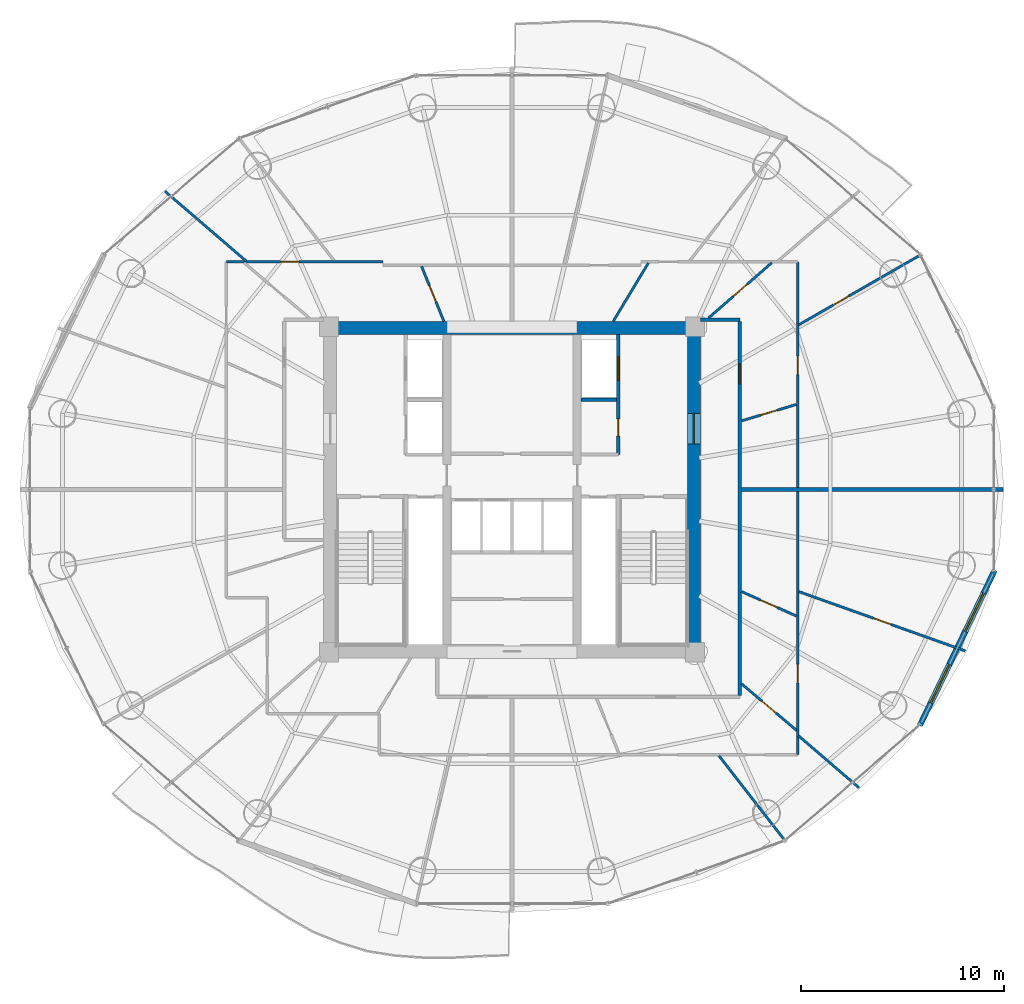
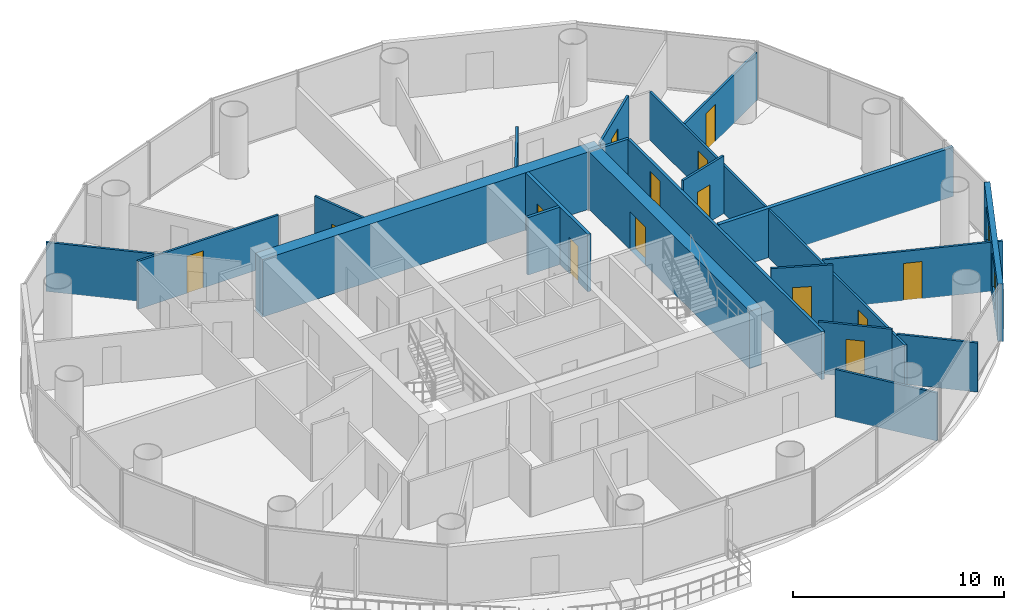
# One storey, part 23 of 27: 22 walls, 14 doors, 2 windows, 16 openings.
"""IFC4 building model written with IfcOpenShell, lengths in metres."""

from ifc_helpers import new_model, si_unit, direction, frame, frame_2d, origin, place, context, subcontext, project, spatial, rectangle, extrude, source, transform, mapped, material, layer, layer_set, type_object, element, fill, save


model = new_model("IFC4")

# Units and contexts
model_context = context("Model", 3, precision=1e-05, world=origin(), true_north=direction((-0.2419218956, 0.970295726276)))
body_context = subcontext(model_context, "Body", "Model", "MODEL_VIEW")
ifc_project = project(units=[si_unit("LENGTHUNIT", "METRE"), si_unit("AREAUNIT", "SQUARE_METRE"), si_unit("VOLUMEUNIT", "CUBIC_METRE"), si_unit("PLANEANGLEUNIT", "RADIAN"), si_unit("MASSUNIT", "GRAM", prefix="KILO")], contexts=[model_context])

# Site, building, storey
site_placement = place(None, origin())
site = spatial("IfcSite", under=ifc_project, at=site_placement, CompositionType="ELEMENT")
building_placement = place(site_placement, origin())
building = spatial("IfcBuilding", under=site, at=building_placement, Name="Cobrevalo Terracotta Tower", CompositionType="ELEMENT")
storey_placement = place(building_placement, frame((0.0, 0.0, 164.199951171875)))
storey = spatial("IfcBuildingStorey", under=building, at=storey_placement, Name="L43", CompositionType="ELEMENT", Elevation=164.199951171875)

# Wall
ifc_material_1 = material(Name="Concrete C55", Category="concrete")
ifc_layer_1 = layer(ifc_material_1, 0.64990234375)
ifc_layer_set_1 = layer_set([ifc_layer_1], Name="Concrete C55")
wall_type_1 = type_object("IfcWallType", Name="Core shear wall 650 mm Concrete C55", PredefinedType="SHEAR", material=ifc_layer_set_1)
wall_1_placement = place(storey_placement, frame((28.72509765625, 34.75, 0.0), z_axis=(0.0, 0.0, 1.0), x_axis=(1.0, 0.0, 0.0)))
element("IfcWall", 1, at=wall_1_placement, inside=storey, type_object=wall_type_1, Name="L43 north core shear wall", PredefinedType="SHEAR", context=body_context, shape_type="SweptSolid", body=[
    extrude(rectangle(XDim=18.5498046875, YDim=0.64990234375, at=frame_2d((9.27490234375, 0.0))), origin(), (0.0, 0.0, 1.0), 3.330078125),
])

# Wall, opening, door
wall_2_placement = place(storey_placement, frame((46.949951171875, 19.175048828125, 0.0), z_axis=(0.0, 0.0, 1.0), x_axis=(0.0, 1.0, 0.0)))
wall_2 = element("IfcWall", 2, at=wall_2_placement, inside=storey, type_object=wall_type_1, Name="L43 east core shear wall", PredefinedType="SHEAR", context=body_context, shape_type="SweptSolid", body=[
    extrude(rectangle(XDim=15.25, YDim=0.64990234375, at=frame_2d((7.625, 0.0))), origin(), (0.0, 0.0, 1.0), 3.330078125),
])
opening_1_placement = place(wall_2_placement, frame((9.875, 0.0, 0.0)))
opening_1 = element("IfcOpeningElement", 3, at=opening_1_placement, cuts=wall_2, Name="Opening ID-14", PredefinedType="OPENING", context=body_context, shape_type="SweptSolid", body=[
    extrude(rectangle(XDim=1.5, YDim=2.199951171875, at=frame_2d((0.75, 1.10009765625))), frame((0.0, 0.3349609375, 0.0), z_axis=(0.0, -1.0, 0.0), x_axis=(1.0, 0.0, 0.0)), (0.0, 0.0, 1.0), 0.669921875),
])
ifc_material_2 = material(Name="Galvanized fire-rated steel", Category="steel")
door_type_1 = type_object("IfcDoorType", Name="Core cross-lobby double fire door 1500x2200 EI 90", OperationType="NOTDEFINED", PredefinedType="DOOR", material=ifc_material_2)
shared_shape_1 = source(origin(), body_context, "Body", "SweptSolid", [
    extrude(rectangle(XDim=1.5, YDim=2.199951171875, at=frame_2d((0.75, 1.10009765625))), frame((0.0, 0.02490234375, 0.0), z_axis=(0.0, -1.0, 0.0), x_axis=(1.0, 0.0, 0.0)), (0.0, 0.0, 1.0), 0.050048828125),
])
door_1_placement = place(opening_1_placement, frame((1.5, 0.0, 0.0), z_axis=(0.0, 0.0, 1.0), x_axis=(-1.0, 0.0, 0.0)))
door_1 = element("IfcDoor", 4, at=door_1_placement, inside=storey, type_object=door_type_1, Name="L43 east firefighting lobby entrance door", OperationType="DOUBLE_DOOR_SINGLE_SWING", OverallHeight=2.199951171875, OverallWidth=1.5, PredefinedType="DOOR", context=body_context, shape_type="MappedRepresentation", body=[
    mapped(shared_shape_1, transform((0.0, 0.0, 0.0), scale=1.0)),
])
fill(opening_1, door_1)

# Wall
ifc_material_3 = material(Name="Gypsum board on steel stud", Category="steel")
ifc_layer_2 = layer(ifc_material_3, 0.159912109375)
ifc_layer_set_2 = layer_set([ifc_layer_2], Name="Gypsum board on steel stud")
wall_type_2 = type_object("IfcWallType", Name="Fire-rated corridor acoustic partition wall 160 mm", PredefinedType="PARTITIONING", material=ifc_layer_set_2)
wall_3_placement = place(storey_placement, frame((41.389892578125, 31.219970703125, 0.0), z_axis=(0.0, 0.0, 1.0), x_axis=(1.0, 0.0, 0.0)))
element("IfcWall", 5, at=wall_3_placement, inside=storey, type_object=wall_type_2, Name="L43 interior partition IW-L43-FF2-M", PredefinedType="PARTITIONING", context=body_context, shape_type="SweptSolid", body=[
    extrude(rectangle(XDim=1.75, YDim=0.159912109375, at=frame_2d((0.875, 0.0))), origin(), (0.0, 0.0, 1.0), 3.330078125),
])

# Wall, opening, door
wall_4_placement = place(storey_placement, frame((49.205078125, 16.675048828125, 0.0), z_axis=(0.0, 0.0, 1.0), x_axis=(0.0, 1.0, 0.0)))
wall_4 = element("IfcWall", 6, at=wall_4_placement, inside=storey, type_object=wall_type_2, Name="L43 interior partition IW-L43-COR-E", PredefinedType="PARTITIONING", context=body_context, shape_type="SweptSolid", body=[
    extrude(rectangle(XDim=18.39990234375, YDim=0.159912109375, at=frame_2d((9.199951171875, 0.0))), origin(), (0.0, 0.0, 1.0), 2.776123046875),
])
opening_2_placement = place(wall_4_placement, frame((15.326416015625, 0.0, 0.0)))
opening_2 = element("IfcOpeningElement", 7, at=opening_2_placement, cuts=wall_4, Name="Opening ID-05", PredefinedType="OPENING", context=body_context, shape_type="SweptSolid", body=[
    extrude(rectangle(XDim=0.97998046875, YDim=2.199951171875, at=frame_2d((0.489990234375, 1.10009765625))), frame((0.0, 0.08984375, 0.0), z_axis=(0.0, -1.0, 0.0), x_axis=(1.0, 0.0, 0.0)), (0.0, 0.0, 1.0), 0.179931640625),
])
ifc_material_4 = material(Name="Solid hardwood timber", Category="wood")
door_type_2 = type_object("IfcDoorType", Name="Residence entrance fire-rated acoustic timber door 980x2200 EI 60", OperationType="NOTDEFINED", PredefinedType="DOOR", material=ifc_material_4)
shared_shape_2 = source(origin(), body_context, "Body", "SweptSolid", [
    extrude(rectangle(XDim=0.97998046875, YDim=2.199951171875, at=frame_2d((0.489990234375, 1.10009765625))), frame((0.0, 0.02490234375, 0.0), z_axis=(0.0, -1.0, 0.0), x_axis=(1.0, 0.0, 0.0)), (0.0, 0.0, 1.0), 0.050048828125),
])
door_2_placement = place(opening_2_placement, frame((0.97998046875, 0.0, 0.0), z_axis=(0.0, 0.0, 1.0), x_axis=(-1.0, 0.0, 0.0)))
door_2 = element("IfcDoor", 8, at=door_2_placement, inside=storey, type_object=door_type_2, Name="Flat L43A fire-rated apartment entrance door", OperationType="SINGLE_SWING_LEFT", OverallHeight=2.199951171875, OverallWidth=0.97998046875, PredefinedType="DOOR", context=body_context, shape_type="MappedRepresentation", body=[
    mapped(shared_shape_2, transform((0.0, 0.0, 0.0), scale=1.0)),
])
fill(opening_2, door_2)

# Wall
wall_5_placement = place(storey_placement, frame((47.27490234375, 35.155029296875, 0.0), z_axis=(0.0, 0.0, 1.0), x_axis=(1.0, 0.0, 0.0)))
element("IfcWall", 9, at=wall_5_placement, inside=storey, type_object=wall_type_2, Name="L43 interior partition IW-L43-COR-EN-CAP", PredefinedType="PARTITIONING", context=body_context, shape_type="SweptSolid", body=[
    extrude(rectangle(XDim=1.93017578125, YDim=0.159912109375, at=frame_2d((0.965087890625, 0.0))), origin(), (0.0, 0.0, 1.0), 2.776123046875),
])

# Wall, openings, doors
ifc_layer_3 = layer(ifc_material_3, 0.179931640625)
ifc_layer_set_3 = layer_set([ifc_layer_3], Name="Gypsum board on steel stud")
wall_type_3 = type_object("IfcWallType", Name="Fire-rated shaft & lobby acoustic partition wall 180 mm", PredefinedType="PARTITIONING", material=ifc_layer_set_3)
wall_6_placement = place(storey_placement, frame((43.22998046875, 28.52001953125, 0.0), z_axis=(0.0, 0.0, 1.0), x_axis=(0.0, 1.0, 0.0)))
wall_6 = element("IfcWall", 10, at=wall_6_placement, inside=storey, type_object=wall_type_3, Name="L43 interior partition IW-L43-FF2-E", PredefinedType="PARTITIONING", context=body_context, shape_type="SweptSolid", body=[
    extrude(rectangle(XDim=5.905029296875, YDim=0.179931640625, at=frame_2d((2.95263671875, 0.0))), origin(), (0.0, 0.0, 1.0), 3.330078125),
])
opening_3_placement = place(wall_6_placement, frame((0.905029296875, 0.0, 0.0)))
opening_3 = element("IfcOpeningElement", 11, at=opening_3_placement, cuts=wall_6, Name="Opening ID-22", PredefinedType="OPENING", context=body_context, shape_type="SweptSolid", body=[
    extrude(rectangle(XDim=0.85009765625, YDim=2.10009765625, at=frame_2d((0.425048828125, 1.050048828125))), frame((0.0, 0.10009765625, 0.0), z_axis=(0.0, -1.0, 0.0), x_axis=(1.0, 0.0, 0.0)), (0.0, 0.0, 1.0), 0.199951171875),
])
opening_4_placement = place(wall_6_placement, frame((3.655029296875, 0.0, 0.0)))
opening_4 = element("IfcOpeningElement", 12, at=opening_4_placement, cuts=wall_6, Name="Opening LD-02", PredefinedType="OPENING", context=body_context, shape_type="SweptSolid", body=[
    extrude(rectangle(XDim=1.14990234375, YDim=2.199951171875, at=frame_2d((0.574951171875, 1.10009765625))), frame((0.0, 0.10009765625, 0.0), z_axis=(0.0, -1.0, 0.0), x_axis=(1.0, 0.0, 0.0)), (0.0, 0.0, 1.0), 0.199951171875),
])
ifc_material_5 = material(Name="Powder-coated steel", Category="steel")
door_type_3 = type_object("IfcDoorType", Name="Riser shaft & meter closet fire access door 850x2100 EI 60", OperationType="NOTDEFINED", PredefinedType="DOOR", material=ifc_material_5)
shared_shape_3 = source(origin(), body_context, "Body", "SweptSolid", [
    extrude(rectangle(XDim=0.85009765625, YDim=2.10009765625, at=frame_2d((0.425048828125, 1.050048828125))), frame((0.0, 0.02490234375, 0.0), z_axis=(0.0, -1.0, 0.0), x_axis=(1.0, 0.0, 0.0)), (0.0, 0.0, 1.0), 0.050048828125),
])
door_3_placement = place(opening_3_placement, frame((0.85009765625, 0.0, 0.0), z_axis=(0.0, 0.0, 1.0), x_axis=(-1.0, 0.0, 0.0)))
door_3 = element("IfcDoor", 13, at=door_3_placement, inside=storey, type_object=door_type_3, Name="L43 housekeeping store door", OperationType="SINGLE_SWING_RIGHT", OverallHeight=2.10009765625, OverallWidth=0.85009765625, PredefinedType="DOOR", context=body_context, shape_type="MappedRepresentation", body=[
    mapped(shared_shape_3, transform((0.0, 0.0, 0.0), scale=1.0)),
])
fill(opening_3, door_3)
ifc_material_6 = material(Name="Brushed stainless steel", Category="steel")
door_type_4 = type_object("IfcDoorType", Name="Firefighting lift landing bi-parting sliding door 1150x2200 EI 120", OperationType="DOUBLE_DOOR_SLIDING", PredefinedType="DOOR", material=ifc_material_6)
shared_shape_4 = source(origin(), body_context, "Body", "SweptSolid", [
    extrude(rectangle(XDim=1.14990234375, YDim=2.199951171875, at=frame_2d((0.574951171875, 1.10009765625))), frame((0.0, 0.02490234375, 0.0), z_axis=(0.0, -1.0, 0.0), x_axis=(1.0, 0.0, 0.0)), (0.0, 0.0, 1.0), 0.050048828125),
])
door_4_placement = place(opening_4_placement, origin())
door_4 = element("IfcDoor", 14, at=door_4_placement, inside=storey, type_object=door_type_4, Name="L43 lift landing door FF-2", OperationType="DOUBLE_DOOR_SLIDING", OverallHeight=2.199951171875, OverallWidth=1.14990234375, PredefinedType="DOOR", context=body_context, shape_type="MappedRepresentation", body=[
    mapped(shared_shape_4, transform((0.0, 0.0, 0.0), scale=1.0)),
])
fill(opening_4, door_4)

# Wall
ifc_material_7 = material(Name="Autoclaved aerated concrete block", Category="concrete")
ifc_layer_4 = layer(ifc_material_7, 0.199951171875)
ifc_layer_set_4 = layer_set([ifc_layer_4], Name="Autoclaved aerated concrete block")
wall_type_4 = type_object("IfcWallType", Name="Fire-rated stair, shaft & demising masonry wall 200 mm", PredefinedType="PARTITIONING", material=ifc_layer_set_4)
wall_7_placement = place(storey_placement, frame((49.287109375, 26.800048828125, 0.0), z_axis=(0.0, 0.0, 1.0), x_axis=(1.0, 0.0, 0.0)))
element("IfcWall", 15, at=wall_7_placement, inside=storey, type_object=wall_type_4, Name="L43 interior partition IW-L43-DEM-1", PredefinedType="PARTITIONING", context=body_context, shape_type="SweptSolid", body=[
    extrude(rectangle(XDim=12.852783203125, YDim=0.199951171875, at=frame_2d((6.42626953125, 0.0))), origin(), (0.0, 0.0, 1.0), 2.845947265625),
])

# Wall, openings, windows
ifc_layer_5 = layer(ifc_material_7, 0.280029296875)
ifc_layer_set_5 = layer_set([ifc_layer_5], Name="Autoclaved aerated concrete block")
wall_type_5 = type_object("IfcWallType", Name="Insulated tower spandrel & pier wall 280 mm with terracotta rainscreen", PredefinedType="SOLIDWALL", material=ifc_layer_set_5)
wall_8_placement = place(storey_placement, frame((58.061767578125, 15.188720703125, 0.0), z_axis=(0.0, 0.0, 1.0), x_axis=(0.434209827226, 0.900811759437, 0.0)))
wall_8 = element("IfcWall", 16, at=wall_8_placement, inside=storey, type_object=wall_type_5, Name="L43 terracotta rainscreen pier wall S15", PredefinedType="SOLIDWALL", context=body_context, shape_type="SweptSolid", body=[
    extrude(rectangle(XDim=8.4716796875, YDim=0.280029296875, at=frame_2d((4.23583984375, 0.0))), origin(), (0.0, 0.0, 1.0), 3.330078125),
])
opening_5_placement = place(wall_8_placement, frame((1.2373046875, 0.0, 0.85009765625)))
opening_5 = element("IfcOpeningElement", 17, at=opening_5_placement, cuts=wall_8, Name="Opening WN-10", PredefinedType="OPENING", context=body_context, shape_type="SweptSolid", body=[
    extrude(rectangle(XDim=2.10009765625, YDim=1.949951171875, at=frame_2d((1.050048828125, 0.97509765625))), frame((0.0, 0.14990234375, 0.0), z_axis=(0.0, -1.0, 0.0), x_axis=(1.0, 0.0, 0.0)), (0.0, 0.0, 1.0), 0.300048828125),
])
opening_6_placement = place(wall_8_placement, frame((5.13427734375, 0.0, 0.85009765625)))
opening_6 = element("IfcOpeningElement", 18, at=opening_6_placement, cuts=wall_8, Name="Opening WN-10", PredefinedType="OPENING", context=body_context, shape_type="SweptSolid", body=[
    extrude(rectangle(XDim=2.10009765625, YDim=1.949951171875, at=frame_2d((1.050048828125, 0.97509765625))), frame((0.0, 0.14990234375, 0.0), z_axis=(0.0, -1.0, 0.0), x_axis=(1.0, 0.0, 0.0)), (0.0, 0.0, 1.0), 0.300048828125),
])
ifc_material_8 = material(Name="Solar-control low-E double glazing", Category="glass")
window_type = type_object("IfcWindowType", Name="Wide panoramic low-E aluminium window 2100x1950", PartitioningType="SINGLE_PANEL", PredefinedType="WINDOW", material=ifc_material_8)
shared_shape_5 = source(origin(), body_context, "Body", "SweptSolid", [
    extrude(rectangle(XDim=2.10009765625, YDim=1.949951171875, at=frame_2d((1.050048828125, 0.97509765625))), frame((0.0, 0.030029296875, 0.0), z_axis=(0.0, -1.0, 0.0), x_axis=(1.0, 0.0, 0.0)), (0.0, 0.0, 1.0), 0.06005859375),
])
window_1_placement = place(opening_5_placement, origin())
window_1 = element("IfcWindow", 19, at=window_1_placement, inside=storey, type_object=window_type, Name="L43 suite window S15A", OverallHeight=1.949951171875, OverallWidth=2.10009765625, PartitioningType="SINGLE_PANEL", PredefinedType="WINDOW", context=body_context, shape_type="MappedRepresentation", body=[
    mapped(shared_shape_5, transform((0.0, 0.0, 0.0), scale=1.0)),
])
fill(opening_5, window_1)
window_2_placement = place(opening_6_placement, origin())
window_2 = element("IfcWindow", 20, at=window_2_placement, inside=storey, type_object=window_type, Name="L43 suite window S15B", OverallHeight=1.949951171875, OverallWidth=2.10009765625, PartitioningType="SINGLE_PANEL", PredefinedType="WINDOW", context=body_context, shape_type="MappedRepresentation", body=[
    mapped(shared_shape_5, transform((0.0, 0.0, 0.0), scale=1.0)),
])
fill(opening_6, window_2)

# Wall, opening, door
ifc_layer_6 = layer(ifc_material_3, 0.1201171875)
ifc_layer_set_6 = layer_set([ifc_layer_6], Name="Gypsum board on steel stud")
wall_type_6 = type_object("IfcWallType", Name="Residential internal acoustic stud partition 120 mm", PredefinedType="PARTITIONING", material=ifc_layer_set_6)
wall_9_placement = place(storey_placement, frame((52.044921875, 37.9951171875, 0.0), z_axis=(0.0, 0.0, 1.0), x_axis=(0.0, -1.0, 0.0)))
wall_9 = element("IfcWall", 21, at=wall_9_placement, inside=storey, type_object=wall_type_6, Name="L43 interior partition IW-L43-U1-RING3_0", PredefinedType="PARTITIONING", context=body_context, shape_type="SweptSolid", body=[
    extrude(rectangle(XDim=11.093017578125, YDim=0.1201171875, at=frame_2d((5.54638671875, 0.0))), origin(), (0.0, 0.0, 1.0), 2.776123046875),
])
opening_7_placement = place(wall_9_placement, frame((4.637939453125, 0.0, 0.0)))
opening_7 = element("IfcOpeningElement", 22, at=opening_7_placement, cuts=wall_9, Name="Opening ID-12", PredefinedType="OPENING", context=body_context, shape_type="SweptSolid", body=[
    extrude(rectangle(XDim=0.89990234375, YDim=2.14990234375, at=frame_2d((0.449951171875, 1.074951171875))), frame((0.0, 0.070068359375, 0.0), z_axis=(0.0, -1.0, 0.0), x_axis=(1.0, 0.0, 0.0)), (0.0, 0.0, 1.0), 0.14013671875),
])
ifc_material_9 = material(Name="Engineered timber", Category="wood")
door_type_5 = type_object("IfcDoorType", Name="Internal residence & suite timber door 900x2150", OperationType="NOTDEFINED", PredefinedType="DOOR", material=ifc_material_9)
shared_shape_6 = source(origin(), body_context, "Body", "SweptSolid", [
    extrude(rectangle(XDim=0.89990234375, YDim=2.14990234375, at=frame_2d((0.449951171875, 1.074951171875))), frame((0.0, 0.02490234375, 0.0), z_axis=(0.0, -1.0, 0.0), x_axis=(1.0, 0.0, 0.0)), (0.0, 0.0, 1.0), 0.050048828125),
])
door_5_placement = place(opening_7_placement, origin())
door_5 = element("IfcDoor", 23, at=door_5_placement, inside=storey, type_object=door_type_5, Name="Flat L43A Penthouse Living and Dining Room internal door", OperationType="SINGLE_SWING_LEFT", OverallHeight=2.14990234375, OverallWidth=0.89990234375, PredefinedType="DOOR", context=body_context, shape_type="MappedRepresentation", body=[
    mapped(shared_shape_6, transform((0.0, 0.0, 0.0), scale=1.0)),
])
fill(opening_7, door_5)

wall_10_placement = place(storey_placement, frame((52.098876953125, 34.89697265625, 0.0), z_axis=(0.0, 0.0, 1.0), x_axis=(0.867170536447, 0.498011305813, 0.0)))
wall_10 = element("IfcWall", 24, at=wall_10_placement, inside=storey, type_object=wall_type_6, Name="L43 interior partition IW-L43-U1-ORAD1", PredefinedType="PARTITIONING", context=body_context, shape_type="SweptSolid", body=[
    extrude(rectangle(XDim=6.834228515625, YDim=0.1201171875, at=frame_2d((3.4169921875, 0.0))), origin(), (0.0, 0.0, 1.0), 2.776123046875),
])
opening_8_placement = place(wall_10_placement, frame((1.969482421875, 0.0, 0.0)))
opening_8 = element("IfcOpeningElement", 25, at=opening_8_placement, cuts=wall_10, Name="Opening ID-12", PredefinedType="OPENING", context=body_context, shape_type="SweptSolid", body=[
    extrude(rectangle(XDim=0.89990234375, YDim=2.14990234375, at=frame_2d((0.449951171875, 1.074951171875))), frame((0.0, 0.070068359375, 0.0), z_axis=(0.0, -1.0, 0.0), x_axis=(1.0, 0.0, 0.0)), (0.0, 0.0, 1.0), 0.14013671875),
])
door_6_placement = place(opening_8_placement, origin())
door_6 = element("IfcDoor", 26, at=door_6_placement, inside=storey, type_object=door_type_5, Name="Flat L43A Master Bedroom internal door", OperationType="SINGLE_SWING_LEFT", OverallHeight=2.14990234375, OverallWidth=0.89990234375, PredefinedType="DOOR", context=body_context, shape_type="MappedRepresentation", body=[
    mapped(shared_shape_6, transform((0.0, 0.0, 0.0), scale=1.0)),
])
fill(opening_8, door_6)

wall_11_placement = place(storey_placement, frame((49.286865234375, 30.176513671875, 0.0), z_axis=(0.0, 0.0, 1.0), x_axis=(0.958045462778, 0.28661627876, 0.0)))
wall_11 = element("IfcWall", 27, at=wall_11_placement, inside=storey, type_object=wall_type_6, Name="L43 interior partition IW-L43-U1-IRAD1", PredefinedType="PARTITIONING", context=body_context, shape_type="SweptSolid", body=[
    extrude(rectangle(XDim=2.81689453125, YDim=0.1201171875, at=frame_2d((1.408447265625, 0.0))), origin(), (0.0, 0.0, 1.0), 3.330078125),
])
opening_9_placement = place(wall_11_placement, frame((0.978515625, 0.0, 0.0)))
opening_9 = element("IfcOpeningElement", 28, at=opening_9_placement, cuts=wall_11, Name="Opening ID-19", PredefinedType="OPENING", context=body_context, shape_type="SweptSolid", body=[
    extrude(rectangle(XDim=0.860107421875, YDim=2.14990234375, at=frame_2d((0.43017578125, 1.074951171875))), frame((0.0, 0.070068359375, 0.0), z_axis=(0.0, -1.0, 0.0), x_axis=(1.0, 0.0, 0.0)), (0.0, 0.0, 1.0), 0.14013671875),
])
ifc_material_10 = material(Name="Moisture-sealed timber", Category="wood")
door_type_6 = type_object("IfcDoorType", Name="Suite bathroom internal timber door 860x2150", OperationType="NOTDEFINED", PredefinedType="DOOR", material=ifc_material_10)
shared_shape_7 = source(origin(), body_context, "Body", "SweptSolid", [
    extrude(rectangle(XDim=0.860107421875, YDim=2.14990234375, at=frame_2d((0.43017578125, 1.074951171875))), frame((0.0, 0.02490234375, 0.0), z_axis=(0.0, -1.0, 0.0), x_axis=(1.0, 0.0, 0.0)), (0.0, 0.0, 1.0), 0.050048828125),
])
door_7_placement = place(opening_9_placement, frame((0.860107421875, 0.0, 0.0), z_axis=(0.0, 0.0, 1.0), x_axis=(-1.0, 0.0, 0.0)))
door_7 = element("IfcDoor", 29, at=door_7_placement, inside=storey, type_object=door_type_6, Name="Flat L43A Primary Bathroom internal door", OperationType="SINGLE_SWING_RIGHT", OverallHeight=2.14990234375, OverallWidth=0.860107421875, PredefinedType="DOOR", context=body_context, shape_type="MappedRepresentation", body=[
    mapped(shared_shape_7, transform((0.0, 0.0, 0.0), scale=1.0)),
])
fill(opening_9, door_7)

wall_12_placement = place(storey_placement, frame((47.665283203125, 35.236328125, 0.0), z_axis=(0.0, 0.0, 1.0), x_axis=(0.753384754287, 0.657579966246, 0.0)))
wall_12 = element("IfcWall", 30, at=wall_12_placement, inside=storey, type_object=wall_type_6, Name="L43 interior partition IW-L43-U1-IRAD2", PredefinedType="PARTITIONING", context=body_context, shape_type="SweptSolid", body=[
    extrude(rectangle(XDim=4.13330078125, YDim=0.1201171875, at=frame_2d((2.066650390625, 0.0))), origin(), (0.0, 0.0, 1.0), 3.005126953125),
])
opening_10_placement = place(wall_12_placement, frame((1.61669921875, 0.0, 0.0)))
opening_10 = element("IfcOpeningElement", 31, at=opening_10_placement, cuts=wall_12, Name="Opening ID-12", PredefinedType="OPENING", context=body_context, shape_type="SweptSolid", body=[
    extrude(rectangle(XDim=0.89990234375, YDim=2.14990234375, at=frame_2d((0.449951171875, 1.074951171875))), frame((0.0, 0.070068359375, 0.0), z_axis=(0.0, -1.0, 0.0), x_axis=(1.0, 0.0, 0.0)), (0.0, 0.0, 1.0), 0.14013671875),
])
door_8_placement = place(opening_10_placement, origin())
door_8 = element("IfcDoor", 32, at=door_8_placement, inside=storey, type_object=door_type_5, Name="Flat L43A Kitchen internal door", OperationType="SINGLE_SWING_RIGHT", OverallHeight=2.14990234375, OverallWidth=0.89990234375, PredefinedType="DOOR", context=body_context, shape_type="MappedRepresentation", body=[
    mapped(shared_shape_6, transform((0.0, 0.0, 0.0), scale=1.0)),
])
fill(opening_10, door_8)

# Wall
wall_13_placement = place(storey_placement, frame((42.98046875, 35.074951171875, 0.0), z_axis=(0.0, 0.0, 1.0), x_axis=(0.515686235332, 0.856777512946, 0.0)))
element("IfcWall", 33, at=wall_13_placement, inside=storey, type_object=wall_type_6, Name="L43 interior partition IW-L43-U1-IRAD3", PredefinedType="PARTITIONING", context=body_context, shape_type="SweptSolid", body=[
    extrude(rectangle(XDim=3.34619140625, YDim=0.1201171875, at=frame_2d((1.673095703125, 0.0))), origin(), (0.0, 0.0, 1.0), 3.330078125),
])

# Wall, opening, door
wall_14_placement = place(storey_placement, frame((23.955078125, 37.9951171875, 0.0), z_axis=(0.0, 0.0, 1.0), x_axis=(1.0, 0.0, 0.0)))
wall_14 = element("IfcWall", 34, at=wall_14_placement, inside=storey, type_object=wall_type_6, Name="L43 interior partition IW-L43-U2-RING1_0", PredefinedType="PARTITIONING", context=body_context, shape_type="SweptSolid", body=[
    extrude(rectangle(XDim=7.68994140625, YDim=0.1201171875, at=frame_2d((3.844970703125, 0.0))), origin(), (0.0, 0.0, 1.0), 2.776123046875),
])
opening_11_placement = place(wall_14_placement, frame((2.666748046875, 0.0, 0.0)))
opening_11 = element("IfcOpeningElement", 35, at=opening_11_placement, cuts=wall_14, Name="Opening ID-12", PredefinedType="OPENING", context=body_context, shape_type="SweptSolid", body=[
    extrude(rectangle(XDim=0.89990234375, YDim=2.14990234375, at=frame_2d((0.449951171875, 1.074951171875))), frame((0.0, 0.070068359375, 0.0), z_axis=(0.0, -1.0, 0.0), x_axis=(1.0, 0.0, 0.0)), (0.0, 0.0, 1.0), 0.14013671875),
])
door_9_placement = place(opening_11_placement, origin())
door_9 = element("IfcDoor", 36, at=door_9_placement, inside=storey, type_object=door_type_5, Name="Flat L43B Master Bedroom internal door", OperationType="SINGLE_SWING_LEFT", OverallHeight=2.14990234375, OverallWidth=0.89990234375, PredefinedType="DOOR", context=body_context, shape_type="MappedRepresentation", body=[
    mapped(shared_shape_6, transform((0.0, 0.0, 0.0), scale=1.0)),
])
fill(opening_11, door_9)

# Wall
wall_15_placement = place(storey_placement, frame((24.927978515625, 38.035400390625, 0.0), z_axis=(0.0, 0.0, 1.0), x_axis=(-0.758368609512, 0.65182593697, 0.0)))
element("IfcWall", 37, at=wall_15_placement, inside=storey, type_object=wall_type_6, Name="L43 interior partition IW-L43-U2-ORAD2M1", PredefinedType="PARTITIONING", context=body_context, shape_type="SweptSolid", body=[
    extrude(rectangle(XDim=5.263427734375, YDim=0.1201171875, at=frame_2d((2.6318359375, 0.0))), origin(), (0.0, 0.0, 1.0), 2.845947265625),
])

# Wall, opening, door
wall_16_placement = place(storey_placement, frame((34.64892578125, 35.074951171875, 0.0), z_axis=(0.0, 0.0, 1.0), x_axis=(-0.37535719187, 0.926880239573, 0.0)))
wall_16 = element("IfcWall", 38, at=wall_16_placement, inside=storey, type_object=wall_type_6, Name="L43 interior partition IW-L43-U2-IRAD1", PredefinedType="PARTITIONING", context=body_context, shape_type="SweptSolid", body=[
    extrude(rectangle(XDim=2.915771484375, YDim=0.1201171875, at=frame_2d((1.4580078125, 0.0))), origin(), (0.0, 0.0, 1.0), 3.330078125),
])
opening_12_placement = place(wall_16_placement, frame((1.02783203125, 0.0, 0.0)))
opening_12 = element("IfcOpeningElement", 39, at=opening_12_placement, cuts=wall_16, Name="Opening ID-19", PredefinedType="OPENING", context=body_context, shape_type="SweptSolid", body=[
    extrude(rectangle(XDim=0.860107421875, YDim=2.14990234375, at=frame_2d((0.43017578125, 1.074951171875))), frame((0.0, 0.070068359375, 0.0), z_axis=(0.0, -1.0, 0.0), x_axis=(1.0, 0.0, 0.0)), (0.0, 0.0, 1.0), 0.14013671875),
])
door_10_placement = place(opening_12_placement, frame((0.860107421875, 0.0, 0.0), z_axis=(0.0, 0.0, 1.0), x_axis=(-1.0, 0.0, 0.0)))
door_10 = element("IfcDoor", 40, at=door_10_placement, inside=storey, type_object=door_type_6, Name="Flat L43B Primary Bathroom internal door", OperationType="SINGLE_SWING_LEFT", OverallHeight=2.14990234375, OverallWidth=0.860107421875, PredefinedType="DOOR", context=body_context, shape_type="MappedRepresentation", body=[
    mapped(shared_shape_7, transform((0.0, 0.0, 0.0), scale=1.0)),
])
fill(opening_12, door_10)

wall_17_placement = place(storey_placement, frame((52.044921875, 26.697998046875, 0.0), z_axis=(0.0, 0.0, 1.0), x_axis=(0.0, -1.0, 0.0)))
wall_17 = element("IfcWall", 41, at=wall_17_placement, inside=storey, type_object=wall_type_6, Name="L43 interior partition IW-L43-U4-RING0_0", PredefinedType="PARTITIONING", context=body_context, shape_type="SweptSolid", body=[
    extrude(rectangle(XDim=12.943115234375, YDim=0.1201171875, at=frame_2d((6.4716796875, 0.0))), origin(), (0.0, 0.0, 1.0), 2.776123046875),
])
opening_13_placement = place(wall_17_placement, frame((8.502685546875, 0.0, 0.0)))
opening_13 = element("IfcOpeningElement", 42, at=opening_13_placement, cuts=wall_17, Name="Opening ID-12", PredefinedType="OPENING", context=body_context, shape_type="SweptSolid", body=[
    extrude(rectangle(XDim=0.89990234375, YDim=2.14990234375, at=frame_2d((0.449951171875, 1.074951171875))), frame((0.0, 0.070068359375, 0.0), z_axis=(0.0, -1.0, 0.0), x_axis=(1.0, 0.0, 0.0)), (0.0, 0.0, 1.0), 0.14013671875),
])
door_11_placement = place(opening_13_placement, origin())
door_11 = element("IfcDoor", 43, at=door_11_placement, inside=storey, type_object=door_type_5, Name="Flat L43D Principal Guest Bedroom internal door", OperationType="SINGLE_SWING_LEFT", OverallHeight=2.14990234375, OverallWidth=0.89990234375, PredefinedType="DOOR", context=body_context, shape_type="MappedRepresentation", body=[
    mapped(shared_shape_6, transform((0.0, 0.0, 0.0), scale=1.0)),
])
fill(opening_13, door_11)

# Walls
wall_18_placement = place(storey_placement, frame((48.17919921875, 13.7060546875, 0.0), z_axis=(0.0, 0.0, 1.0), x_axis=(0.613759011764, -0.789493429662, 0.0)))
element("IfcWall", 44, at=wall_18_placement, inside=storey, type_object=wall_type_6, Name="L43 interior partition IW-L43-U4-ORAD1", PredefinedType="PARTITIONING", context=body_context, shape_type="SweptSolid", body=[
    extrude(rectangle(XDim=5.21240234375, YDim=0.1201171875, at=frame_2d((2.606201171875, 0.0))), origin(), (0.0, 0.0, 1.0), 2.776123046875),
])
wall_19_placement = place(storey_placement, frame((52.092041015625, 14.687744140625, 0.0), z_axis=(0.0, 0.0, 1.0), x_axis=(0.758367509429, -0.651827216862, 0.0)))
element("IfcWall", 45, at=wall_19_placement, inside=storey, type_object=wall_type_6, Name="L43 interior partition IW-L43-U4-ORAD2M1", PredefinedType="PARTITIONING", context=body_context, shape_type="SweptSolid", body=[
    extrude(rectangle(XDim=3.91845703125, YDim=0.1201171875, at=frame_2d((1.959228515625, 0.0))), origin(), (0.0, 0.0, 1.0), 2.845947265625),
])

# Wall, opening, door
wall_20_placement = place(storey_placement, frame((52.103515625, 21.77880859375, 0.0), z_axis=(0.0, 0.0, 1.0), x_axis=(0.942081743482, -0.335383345736, 0.0)))
wall_20 = element("IfcWall", 46, at=wall_20_placement, inside=storey, type_object=wall_type_6, Name="L43 interior partition IW-L43-U4-ORAD2", PredefinedType="PARTITIONING", context=body_context, shape_type="SweptSolid", body=[
    extrude(rectangle(XDim=8.69970703125, YDim=0.1201171875, at=frame_2d((4.349853515625, 0.0))), origin(), (0.0, 0.0, 1.0), 2.845947265625),
])
opening_14_placement = place(wall_20_placement, frame((3.89990234375, 0.0, 0.0)))
opening_14 = element("IfcOpeningElement", 47, at=opening_14_placement, cuts=wall_20, Name="Opening ID-12", PredefinedType="OPENING", context=body_context, shape_type="SweptSolid", body=[
    extrude(rectangle(XDim=0.89990234375, YDim=2.14990234375, at=frame_2d((0.449951171875, 1.074951171875))), frame((0.0, 0.070068359375, 0.0), z_axis=(0.0, -1.0, 0.0), x_axis=(1.0, 0.0, 0.0)), (0.0, 0.0, 1.0), 0.14013671875),
])
door_12_placement = place(opening_14_placement, origin())
door_12 = element("IfcDoor", 48, at=door_12_placement, inside=storey, type_object=door_type_5, Name="Flat L43D Penthouse Family Lounge internal door", OperationType="SINGLE_SWING_RIGHT", OverallHeight=2.14990234375, OverallWidth=0.89990234375, PredefinedType="DOOR", context=body_context, shape_type="MappedRepresentation", body=[
    mapped(shared_shape_6, transform((0.0, 0.0, 0.0), scale=1.0)),
])
fill(opening_14, door_12)

wall_21_placement = place(storey_placement, frame((49.28662109375, 17.24755859375, 0.0), z_axis=(0.0, 0.0, 1.0), x_axis=(0.763274158734, -0.646074731443, 0.0)))
wall_21 = element("IfcWall", 49, at=wall_21_placement, inside=storey, type_object=wall_type_6, Name="L43 interior partition IW-L43-U4-IRAD2", PredefinedType="PARTITIONING", context=body_context, shape_type="SweptSolid", body=[
    extrude(rectangle(XDim=3.5517578125, YDim=0.1201171875, at=frame_2d((1.77587890625, 0.0))), origin(), (0.0, 0.0, 1.0), 3.005126953125),
])
opening_15_placement = place(wall_21_placement, frame((1.325927734375, 0.0, 0.0)))
opening_15 = element("IfcOpeningElement", 50, at=opening_15_placement, cuts=wall_21, Name="Opening ID-12", PredefinedType="OPENING", context=body_context, shape_type="SweptSolid", body=[
    extrude(rectangle(XDim=0.89990234375, YDim=2.14990234375, at=frame_2d((0.449951171875, 1.074951171875))), frame((0.0, 0.070068359375, 0.0), z_axis=(0.0, -1.0, 0.0), x_axis=(1.0, 0.0, 0.0)), (0.0, 0.0, 1.0), 0.14013671875),
])
door_13_placement = place(opening_15_placement, origin())
door_13 = element("IfcDoor", 51, at=door_13_placement, inside=storey, type_object=door_type_5, Name="Flat L43D Kitchen internal door", OperationType="SINGLE_SWING_RIGHT", OverallHeight=2.14990234375, OverallWidth=0.89990234375, PredefinedType="DOOR", context=body_context, shape_type="MappedRepresentation", body=[
    mapped(shared_shape_6, transform((0.0, 0.0, 0.0), scale=1.0)),
])
fill(opening_15, door_13)

wall_22_placement = place(storey_placement, frame((49.286865234375, 21.781494140625, 0.0), z_axis=(0.0, 0.0, 1.0), x_axis=(0.913743428873, -0.406291700864, 0.0)))
wall_22 = element("IfcWall", 52, at=wall_22_placement, inside=storey, type_object=wall_type_6, Name="L43 interior partition IW-L43-U4-IRAD3", PredefinedType="PARTITIONING", context=body_context, shape_type="SweptSolid", body=[
    extrude(rectangle(XDim=2.95654296875, YDim=0.1201171875, at=frame_2d((1.478271484375, 0.0))), origin(), (0.0, 0.0, 1.0), 3.330078125),
])
opening_16_placement = place(wall_22_placement, frame((1.0283203125, 0.0, 0.0)))
opening_16 = element("IfcOpeningElement", 53, at=opening_16_placement, cuts=wall_22, Name="Opening ID-12", PredefinedType="OPENING", context=body_context, shape_type="SweptSolid", body=[
    extrude(rectangle(XDim=0.89990234375, YDim=2.14990234375, at=frame_2d((0.449951171875, 1.074951171875))), frame((0.0, 0.070068359375, 0.0), z_axis=(0.0, -1.0, 0.0), x_axis=(1.0, 0.0, 0.0)), (0.0, 0.0, 1.0), 0.14013671875),
])
door_14_placement = place(opening_16_placement, origin())
door_14 = element("IfcDoor", 54, at=door_14_placement, inside=storey, type_object=door_type_5, Name="Flat L43D Private Library Meeting Room internal door", OperationType="SINGLE_SWING_LEFT", OverallHeight=2.14990234375, OverallWidth=0.89990234375, PredefinedType="DOOR", context=body_context, shape_type="MappedRepresentation", body=[
    mapped(shared_shape_6, transform((0.0, 0.0, 0.0), scale=1.0)),
])
fill(opening_16, door_14)

save(model, "model.ifc")
